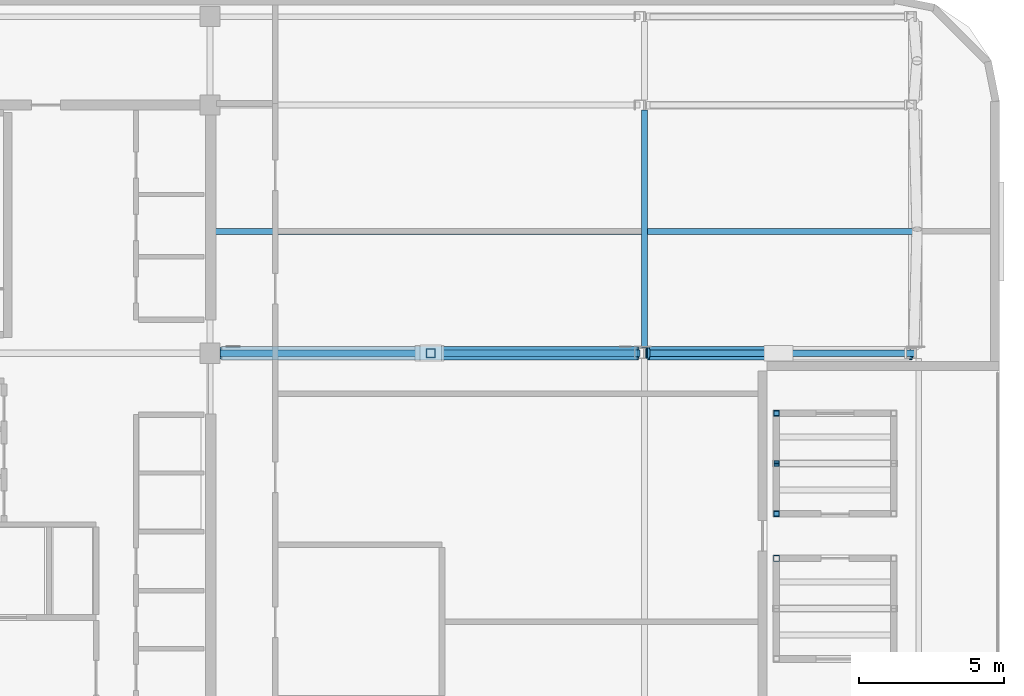
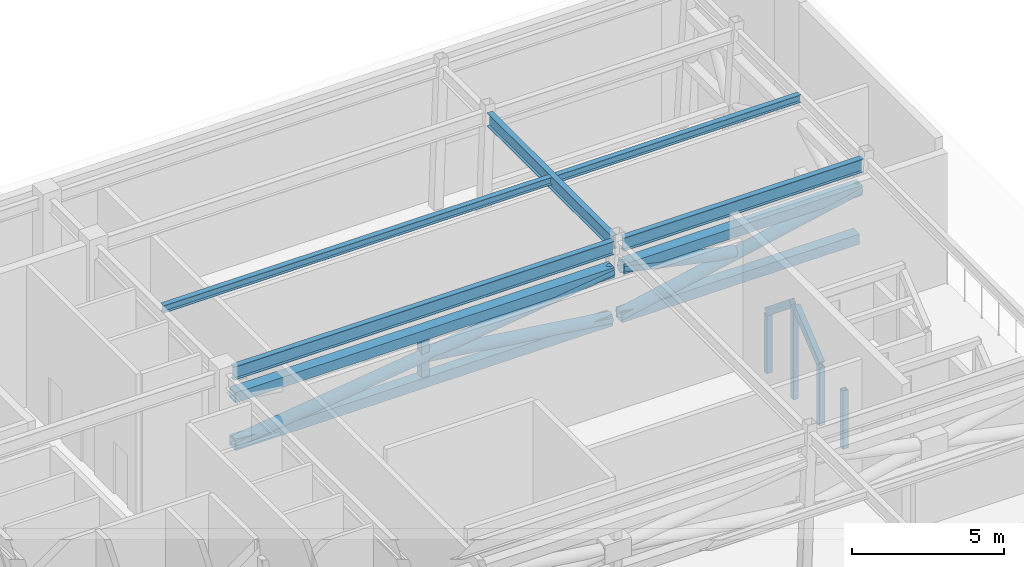
# One storey, part 4 of 12: 15 members, 5 beams.
"""IFC4 building model written with IfcOpenShell, lengths in metres."""

from ifc_helpers import new_model, si_unit, direction, frame, origin, origin_2d, place, context, subcontext, project, spatial, hollow_rectangle, hollow_circle, i_section, extrude, material, material_profile, profile_set, type_object, element, save


model = new_model("IFC4")

# Units and contexts
model_context = context("Model", 3, precision=1e-05, world=origin(), true_north=direction((0.0, 1.0)))
body_context = subcontext(model_context, "Body", "Model", "MODEL_VIEW")
ifc_project = project(units=[si_unit("LENGTHUNIT", "METRE"), si_unit("AREAUNIT", "SQUARE_METRE"), si_unit("VOLUMEUNIT", "CUBIC_METRE"), si_unit("PLANEANGLEUNIT", "RADIAN"), si_unit("MASSUNIT", "GRAM", prefix="KILO")], contexts=[model_context])

# Site, building, storey
site_placement = place(None, origin())
site = spatial("IfcSite", under=ifc_project, at=site_placement, CompositionType="ELEMENT")
building_placement = place(site_placement, origin())
building = spatial("IfcBuilding", under=site, at=building_placement, Name="Ochreholt Gables", CompositionType="ELEMENT")
storey_placement = place(building_placement, frame((0.0, 0.0, 287.0)))
storey = spatial("IfcBuildingStorey", under=building, at=storey_placement, Name="L75", CompositionType="ELEMENT", Elevation=287.0)

# Beams
ifc_material = material(Name="Steel CSA G40.21 350W", Category="steel")
ifc_material_profile_1 = material_profile(ifc_material, i_section(OverallWidth=0.2109375, OverallDepth=0.5390625, WebThickness=0.01171875, FlangeThickness=0.018798828125, at=origin_2d()), Name="W530X109")
ifc_profile_set_1 = profile_set([ifc_material_profile_1], Name="Steel CSA G40.21 350W")
beam_type_1 = type_object("IfcBeamType", Name="BM-G-W530A", PredefinedType="BEAM", material=ifc_profile_set_1)
beam_1_placement = place(storey_placement, frame((35.549560546875, 30.199951171875, 5.430419921875), z_axis=(1.0, 0.0, 0.0), x_axis=(0.0, 1.0, 0.0)))
element("IfcBeam", 1, at=beam_1_placement, inside=storey, type_object=beam_type_1, Name="L75 Beam TBG-L75-C2EM-Y4", PredefinedType="BEAM", context=body_context, shape_type="SweptSolid", body=[
    extrude(i_section(OverallWidth=0.2109375, OverallDepth=0.5390625, WebThickness=0.01171875, FlangeThickness=0.018798828125, at=origin_2d()), origin(), (0.0, 0.0, 1.0), 14.4638671875),
])
beam_2_placement = place(storey_placement, frame((50.36865234375, 30.199951171875, 5.430419921875), z_axis=(1.0, 0.0, 0.0), x_axis=(0.0, 1.0, 0.0)))
element("IfcBeam", 2, at=beam_2_placement, inside=storey, type_object=beam_type_1, Name="L75 Beam TBG-L75-EMEE-Y4", PredefinedType="BEAM", context=body_context, shape_type="SweptSolid", body=[
    extrude(i_section(OverallWidth=0.2109375, OverallDepth=0.5390625, WebThickness=0.01171875, FlangeThickness=0.018798828125, at=origin_2d()), origin(), (0.0, 0.0, 1.0), 9.1044921875),
])
beam_3_placement = place(storey_placement, frame((50.171875, 30.377685546875, 5.430419921875), z_axis=(0.0, 1.0, 0.0), x_axis=(-1.0, 0.0, 0.0)))
element("IfcBeam", 3, at=beam_3_placement, inside=storey, type_object=beam_type_1, Name="L75 Beam TBN-L75-EM-Y4Y5", PredefinedType="BEAM", context=body_context, shape_type="SweptSolid", body=[
    extrude(i_section(OverallWidth=0.2109375, OverallDepth=0.5390625, WebThickness=0.01171875, FlangeThickness=0.018798828125, at=origin_2d()), origin(), (0.0, 0.0, 1.0), 8.19482421875),
])
ifc_material_profile_2 = material_profile(ifc_material, i_section(OverallWidth=0.202880859375, OverallDepth=0.302978515625, WebThickness=0.007568359375, FlangeThickness=0.01318359375, at=origin_2d()), Name="W310X60")
ifc_profile_set_2 = profile_set([ifc_material_profile_2], Name="Steel CSA G40.21 350W")
beam_type_2 = type_object("IfcBeamType", Name="BM-J-W310", PredefinedType="JOIST", material=ifc_profile_set_2)
beam_4_placement = place(storey_placement, frame((35.30517578125, 34.39990234375, 5.548583984375), z_axis=(1.0, 0.0, 0.0), x_axis=(0.0, 1.0, 0.0)))
element("IfcBeam", 4, at=beam_4_placement, inside=storey, type_object=beam_type_2, Name="L75 Beam TBJ-L75-J2-C2EM", PredefinedType="JOIST", context=body_context, shape_type="SweptSolid", body=[
    extrude(i_section(OverallWidth=0.202880859375, OverallDepth=0.302978515625, WebThickness=0.007568359375, FlangeThickness=0.01318359375, at=origin_2d()), origin(), (0.0, 0.0, 1.0), 14.761474609375),
])
beam_5_placement = place(storey_placement, frame((50.27685546875, 34.39990234375, 5.548583984375), z_axis=(1.0, 0.0, 0.0), x_axis=(0.0, 1.0, 0.0)))
element("IfcBeam", 5, at=beam_5_placement, inside=storey, type_object=beam_type_2, Name="L75 Beam TBJ-L75-J2-EMEE", PredefinedType="JOIST", context=body_context, shape_type="SweptSolid", body=[
    extrude(i_section(OverallWidth=0.202880859375, OverallDepth=0.302978515625, WebThickness=0.007568359375, FlangeThickness=0.01318359375, at=origin_2d()), origin(), (0.0, 0.0, 1.0), 9.246337890625),
])

# Members
ifc_material_profile_3 = material_profile(ifc_material, hollow_rectangle(XDim=0.304931640625, YDim=0.304931640625, WallThickness=0.0126953125, at=origin_2d()), Name="HSS305X305X13")
ifc_profile_set_3 = profile_set([ifc_material_profile_3], Name="Steel CSA G40.21 350W")
member_type_1 = type_object("IfcMemberType", Name="MEM-BL-PT1", PredefinedType="POST", material=ifc_profile_set_3)
member_1_placement = place(storey_placement, frame((42.810791015625, 30.199951171875, 2.802490234375), z_axis=(0.0, 0.0, 1.0), x_axis=(1.0, 0.0, 0.0)))
element("IfcMember", 6, at=member_1_placement, inside=storey, type_object=member_type_1, Name="L75 Outrigger Mid-Bay Post N", PredefinedType="POST", context=body_context, shape_type="SweptSolid", body=[
    extrude(hollow_rectangle(XDim=0.304931640625, YDim=0.304931640625, WallThickness=0.0126953125, at=origin_2d()), origin(), (0.0, 0.0, 1.0), 1.514892578125),
])
ifc_material_profile_4 = material_profile(ifc_material, hollow_rectangle(XDim=0.202880859375, YDim=0.202880859375, WallThickness=0.009521484375, at=origin_2d()), Name="HSS203X203X10")
ifc_profile_set_4 = profile_set([ifc_material_profile_4], Name="Steel CSA G40.21 350W")
member_type_2 = type_object("IfcMemberType", Name="MEM-GB-PT2", PredefinedType="POST", material=ifc_profile_set_4)
for number, where, z_axis, x_axis, name in (
    (7, (54.719970703125, 23.1298828125, 0.0), (0.0, 0.0, 1.0), (1.0, 0.0, 0.0), "L75 Gable Pavilion Post GB-75C1-P4"),
    (8, (54.719970703125, 24.669921875, 0.0), (0.0, 0.0, 1.0), (1.0, 0.0, 0.0), "L75 Gable Pavilion Post GB-75C2-P1"),
    (9, (54.719970703125, 28.1298828125, 0.0), (0.0, 0.0, 1.0), (1.0, 0.0, 0.0), "L75 Gable Pavilion Post GB-75C2-P4"),
):
    element("IfcMember", number, at=place(storey_placement, frame(where, z_axis=z_axis, x_axis=x_axis)), inside=storey, type_object=member_type_2, Name=name, PredefinedType="POST", context=body_context, shape_type="SweptSolid", body=[
        extrude(hollow_rectangle(XDim=0.202880859375, YDim=0.202880859375, WallThickness=0.009521484375, at=origin_2d()), origin(), (0.0, 0.0, 1.0), 2.33984375),
    ])
member_2_placement = place(storey_placement, frame((54.719970703125, 26.39990234375, 0.0), z_axis=(0.0, 0.0, 1.0), x_axis=(1.0, 0.0, 0.0)))
element("IfcMember", 10, at=member_2_placement, inside=storey, type_object=member_type_2, Name="L75 Gable Ridge Post GB-75C2-PRG1", PredefinedType="POST", context=body_context, shape_type="SweptSolid", body=[
    extrude(hollow_rectangle(XDim=0.202880859375, YDim=0.202880859375, WallThickness=0.009521484375, at=origin_2d()), origin(), (0.0, 0.0, 1.0), 3.698974609375),
])
ifc_material_profile_5 = material_profile(ifc_material, hollow_rectangle(XDim=0.202880859375, YDim=0.304931640625, WallThickness=0.0126953125, at=origin_2d()), Name="HSS305X203X13")
ifc_profile_set_5 = profile_set([ifc_material_profile_5], Name="Steel CSA G40.21 350W")
member_type_3 = type_object("IfcMemberType", Name="MEM-GB-RF1", PredefinedType="RAFTER", material=ifc_profile_set_5)
member_3_placement = place(storey_placement, frame((54.719970703125, 24.669921875, 2.43359375), z_axis=(0.0, 0.777366954091, 0.629047389858), x_axis=(-1.0, 0.0, 0.0)))
element("IfcMember", 11, at=member_3_placement, inside=storey, type_object=member_type_3, Name="L75 Gable South Rafter 1 GB-75C2", PredefinedType="RAFTER", context=body_context, shape_type="SweptSolid", body=[
    extrude(hollow_rectangle(XDim=0.202880859375, YDim=0.304931640625, WallThickness=0.0126953125, at=origin_2d()), origin(), (0.0, 0.0, 1.0), 2.095458984375),
])
member_4_placement = place(storey_placement, frame((54.719970703125, 28.1298828125, 2.43359375), z_axis=(0.0, -0.777320844022, 0.629104367692), x_axis=(1.0, 0.0, 0.0)))
element("IfcMember", 12, at=member_4_placement, inside=storey, type_object=member_type_3, Name="L75 Gable North Rafter 1 GB-75C2", PredefinedType="RAFTER", context=body_context, shape_type="SweptSolid", body=[
    extrude(hollow_rectangle(XDim=0.202880859375, YDim=0.304931640625, WallThickness=0.0126953125, at=origin_2d()), origin(), (0.0, 0.0, 1.0), 2.09521484375),
])
ifc_material_profile_6 = material_profile(ifc_material, hollow_circle(Radius=0.228515625, WallThickness=0.01611328125, at=origin_2d()), Name="CHS457X16")
ifc_profile_set_6 = profile_set([ifc_material_profile_6], Name="Steel CSA G40.21 350W")
member_type_4 = type_object("IfcMemberType", Name="MEM-OU-BR1", PredefinedType="BRACE", material=ifc_profile_set_6)
member_5_placement = place(storey_placement, frame((35.599609375, 30.199951171875, 2.60009765625), z_axis=(0.991182814079, 0.0, 0.132501430464), x_axis=(0.0, 1.0, 0.0)))
element("IfcMember", 13, at=member_5_placement, inside=storey, type_object=member_type_4, Name="L75 Outrigger Truss N Continuous Diagonal 1", PredefinedType="BRACE", context=body_context, shape_type="SweptSolid", body=[
    extrude(hollow_circle(Radius=0.228515625, WallThickness=0.01611328125, at=origin_2d()), origin(), (0.0, 0.0, 1.0), 14.48974609375),
])
member_6_placement = place(storey_placement, frame((49.894287109375, 30.199951171875, 2.60009765625), z_axis=(-0.991103443416, 0.0, 0.13309381822), x_axis=(0.0, -1.0, 0.0)))
element("IfcMember", 14, at=member_6_placement, inside=storey, type_object=member_type_4, Name="L75 Outrigger Truss N Split Diagonal 2A", PredefinedType="BRACE", context=body_context, shape_type="SweptSolid", body=[
    extrude(hollow_circle(Radius=0.228515625, WallThickness=0.01611328125, at=origin_2d()), origin(), (0.0, 0.0, 1.0), 7.0146484375),
])
member_7_placement = place(storey_placement, frame((50.24951171875, 30.199951171875, 2.60009765625), z_axis=(0.978632929694, 0.0, 0.205615147589), x_axis=(0.0, 1.0, 0.0)))
element("IfcMember", 15, at=member_7_placement, inside=storey, type_object=member_type_4, Name="L75 Outrigger Truss N Continuous Diagonal 3", PredefinedType="BRACE", context=body_context, shape_type="SweptSolid", body=[
    extrude(hollow_circle(Radius=0.228515625, WallThickness=0.01611328125, at=origin_2d()), origin(), (0.0, 0.0, 1.0), 9.33740234375),
])
member_8_placement = place(storey_placement, frame((54.614501953125, 30.199951171875, 3.591796875), z_axis=(-0.977460641212, 0.0, 0.21111772754), x_axis=(0.0, -1.0, 0.0)))
element("IfcMember", 16, at=member_8_placement, inside=storey, type_object=member_type_4, Name="L75 Outrigger Truss N Split Diagonal 4B", PredefinedType="BRACE", context=body_context, shape_type="SweptSolid", body=[
    extrude(hollow_circle(Radius=0.228515625, WallThickness=0.01611328125, at=origin_2d()), origin(), (0.0, 0.0, 1.0), 4.396728515625),
])
ifc_material_profile_7 = material_profile(ifc_material, hollow_rectangle(XDim=0.406005859375, YDim=0.406005859375, WallThickness=0.01611328125, at=origin_2d()), Name="HSS406X406X16")
ifc_profile_set_7 = profile_set([ifc_material_profile_7], Name="Steel CSA G40.21 350W")
member_type_5 = type_object("IfcMemberType", Name="MEM-OU-CH1", PredefinedType="CHORD", material=ifc_profile_set_7)
member_9_placement = place(storey_placement, frame((35.549560546875, 30.199951171875, 2.60009765625), z_axis=(1.0, 0.0, 0.0), x_axis=(0.0, 1.0, 0.0)))
element("IfcMember", 17, at=member_9_placement, inside=storey, type_object=member_type_5, Name="L75 Outrigger Truss N Bottom Chord 1", PredefinedType="CHORD", context=body_context, shape_type="SweptSolid", body=[
    extrude(hollow_rectangle(XDim=0.406005859375, YDim=0.406005859375, WallThickness=0.01611328125, at=origin_2d()), origin(), (0.0, 0.0, 1.0), 14.3447265625),
])
member_10_placement = place(storey_placement, frame((35.549560546875, 30.199951171875, 4.52001953125), z_axis=(1.0, 0.0, 0.0), x_axis=(0.0, 1.0, 0.0)))
element("IfcMember", 18, at=member_10_placement, inside=storey, type_object=member_type_5, Name="L75 Outrigger Truss N Top Chord 1", PredefinedType="CHORD", context=body_context, shape_type="SweptSolid", body=[
    extrude(hollow_rectangle(XDim=0.406005859375, YDim=0.406005859375, WallThickness=0.01611328125, at=origin_2d()), origin(), (0.0, 0.0, 1.0), 14.412109375),
])
member_11_placement = place(storey_placement, frame((50.24951171875, 30.199951171875, 2.60009765625), z_axis=(1.0, 0.0, 0.0), x_axis=(0.0, 1.0, 0.0)))
element("IfcMember", 19, at=member_11_placement, inside=storey, type_object=member_type_5, Name="L75 Outrigger Truss N Bottom Chord 2", PredefinedType="CHORD", context=body_context, shape_type="SweptSolid", body=[
    extrude(hollow_rectangle(XDim=0.406005859375, YDim=0.406005859375, WallThickness=0.01611328125, at=origin_2d()), origin(), (0.0, 0.0, 1.0), 9.0263671875),
])
member_12_placement = place(storey_placement, frame((50.31689453125, 30.199951171875, 4.52001953125), z_axis=(1.0, 0.0, 0.0), x_axis=(0.0, 1.0, 0.0)))
element("IfcMember", 20, at=member_12_placement, inside=storey, type_object=member_type_5, Name="L75 Outrigger Truss N Top Chord 2", PredefinedType="CHORD", context=body_context, shape_type="SweptSolid", body=[
    extrude(hollow_rectangle(XDim=0.406005859375, YDim=0.406005859375, WallThickness=0.01611328125, at=origin_2d()), origin(), (0.0, 0.0, 1.0), 9.070556640625),
])

save(model, "model.ifc")
